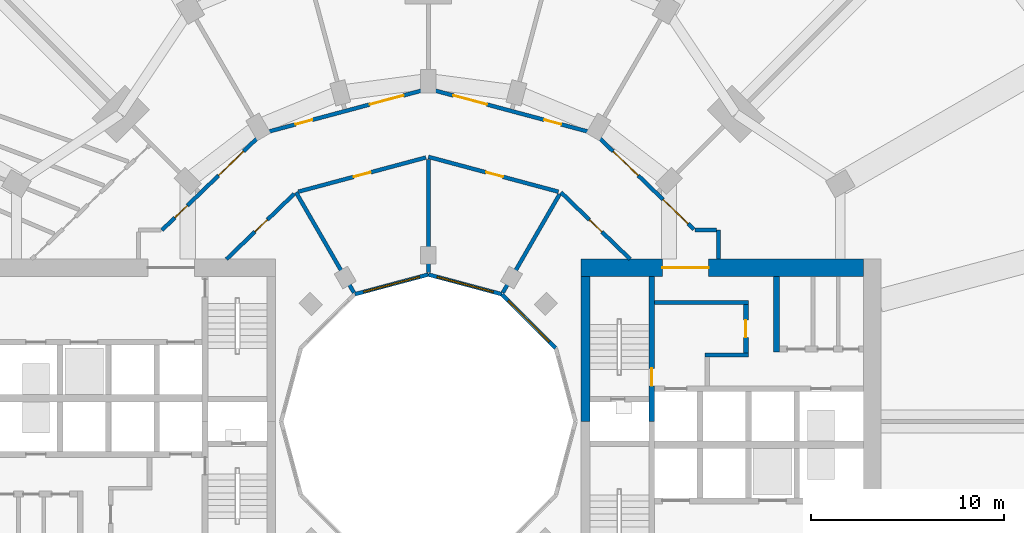
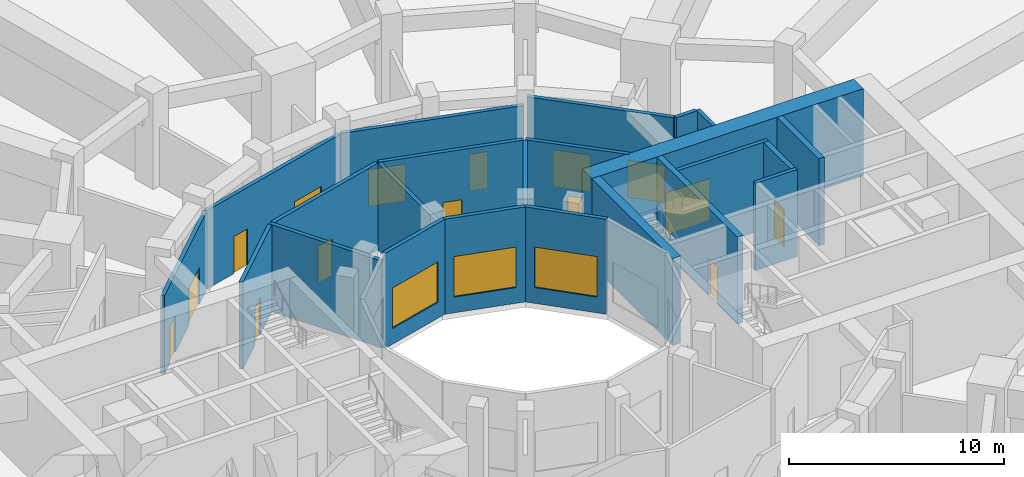
# One storey, part 25 of 30: 23 walls, 15 doors, 3 windows, 18 openings.
"""IFC4 building model written with IfcOpenShell, lengths in metres."""

from ifc_helpers import new_model, si_unit, direction, frame, frame_2d, origin, place, context, subcontext, project, spatial, rectangle, extrude, material, layer, layer_set, type_object, element, fill, save


model = new_model("IFC4")

# Units and contexts
model_context = context("Model", 3, precision=1e-05, world=origin(), true_north=direction((0.0, 1.0)))
body_context = subcontext(model_context, "Body", "Model", "MODEL_VIEW")
ifc_project = project(units=[si_unit("LENGTHUNIT", "METRE"), si_unit("AREAUNIT", "SQUARE_METRE"), si_unit("VOLUMEUNIT", "CUBIC_METRE"), si_unit("PLANEANGLEUNIT", "RADIAN"), si_unit("MASSUNIT", "GRAM", prefix="KILO")], contexts=[model_context])

# Site, building, storey
site_placement = place(None, origin())
site = spatial("IfcSite", under=ifc_project, at=site_placement, CompositionType="ELEMENT")
building_placement = place(site_placement, origin())
building = spatial("IfcBuilding", under=site, at=building_placement, Name="Torre Brocal", CompositionType="ELEMENT")
storey_placement = place(building_placement, frame((0.0, 0.0, 7.0)))
storey = spatial("IfcBuildingStorey", under=building, at=storey_placement, Name="L01", CompositionType="ELEMENT", Elevation=7.0)

# Walls
ifc_material_1 = material(Name="Concrete C80", Category="concrete")
ifc_layer_1 = layer(ifc_material_1, 0.199951171875)
ifc_layer_set_1 = layer_set([ifc_layer_1], Name="Concrete C80")
wall_type_1 = type_object("IfcWallType", Name="CORE WALL 200 C80 UNDER 450 SLAB", PredefinedType="SHEAR", material=ifc_layer_set_1)
wall_1_placement = place(storey_placement, frame((91.699951171875, 81.14990234375, 0.0), z_axis=(0.0, 0.0, 1.0), x_axis=(1.0, 0.0, 0.0)))
element("IfcWall", 1, at=wall_1_placement, inside=storey, type_object=wall_type_1, Name="Wall CW200-80-S450", PredefinedType="SHEAR", context=body_context, shape_type="SweptSolid", body=[
    extrude(rectangle(XDim=4.85009765625, YDim=0.199951171875, at=frame_2d((2.425048828125, 0.0))), origin(), (0.0, 0.0, 1.0), 4.949951171875),
])
wall_2_placement = place(storey_placement, frame((94.300048828125, 78.449951171875, 0.0), z_axis=(0.0, 0.0, 1.0), x_axis=(1.0, 0.0, 0.0)))
element("IfcWall", 2, at=wall_2_placement, inside=storey, type_object=wall_type_1, Name="Wall CW200-80-S450", PredefinedType="SHEAR", context=body_context, shape_type="SweptSolid", body=[
    extrude(rectangle(XDim=2.25, YDim=0.199951171875, at=frame_2d((1.125, 0.0))), origin(), (0.0, 0.0, 1.0), 4.949951171875),
])

# Wall, opening, door
ifc_material_2 = material(Name="Concrete C80", Category="concrete")
ifc_layer_2 = layer(ifc_material_2, 0.25)
ifc_layer_set_2 = layer_set([ifc_layer_2], Name="Concrete C80")
wall_type_2 = type_object("IfcWallType", Name="CORE WALL 250 C80 UNDER 450 SLAB", PredefinedType="SHEAR", material=ifc_layer_set_2)
wall_3_placement = place(storey_placement, frame((96.425048828125, 78.550048828125, 0.0), z_axis=(0.0, 0.0, 1.0), x_axis=(0.0, 1.0, 0.0)))
wall_3 = element("IfcWall", 3, at=wall_3_placement, inside=storey, type_object=wall_type_2, Name="Wall CW250-80-S450", PredefinedType="SHEAR", context=body_context, shape_type="SweptSolid", body=[
    extrude(rectangle(XDim=2.5, YDim=0.25, at=frame_2d((1.25, 0.0))), origin(), (0.0, 0.0, 1.0), 4.949951171875),
])
opening_1_placement = place(wall_3_placement, frame((0.800048828125, 0.0, 0.0)))
opening_1 = element("IfcOpeningElement", 4, at=opening_1_placement, cuts=wall_3, Name="Opening E-D15", PredefinedType="OPENING", context=body_context, shape_type="SweptSolid", body=[
    extrude(rectangle(XDim=0.89990234375, YDim=2.10009765625, at=frame_2d((0.449951171875, 1.050048828125))), frame((0.0, 0.135009765625, 0.0), z_axis=(0.0, -1.0, 0.0), x_axis=(1.0, 0.0, 0.0)), (0.0, 0.0, 1.0), 0.27001953125),
])
ifc_material_3 = material(Name="Steel A653", Category="steel")
door_type_1 = type_object("IfcDoorType", Name="LOBBY DOOR FD120 900X2100", OperationType="SINGLE_SWING_RIGHT", PredefinedType="DOOR", material=ifc_material_3)
door_1_placement = place(opening_1_placement, origin())
door_1 = element("IfcDoor", 5, at=door_1_placement, inside=storey, type_object=door_type_1, Name="Door E-D15", OperationType="SINGLE_SWING_LEFT", OverallHeight=2.10009765625, OverallWidth=0.89990234375, PredefinedType="DOOR", context=body_context, shape_type="SweptSolid", body=[
    extrude(rectangle(XDim=0.89990234375, YDim=2.10009765625, at=frame_2d((0.449951171875, 1.050048828125))), frame((0.0, 0.02490234375, 0.0), z_axis=(0.0, -1.0, 0.0), x_axis=(1.0, 0.0, 0.0)), (0.0, 0.0, 1.0), 0.050048828125),
])
fill(opening_1, door_1)

ifc_material_4 = material(Name="Concrete C80", Category="concrete")
ifc_layer_3 = layer(ifc_material_4, 0.300048828125)
ifc_layer_set_3 = layer_set([ifc_layer_3], Name="Concrete C80")
wall_type_3 = type_object("IfcWallType", Name="CORE WALL 300 C80 UNDER 450 SLAB", PredefinedType="SHEAR", material=ifc_layer_set_3)
wall_4_placement = place(storey_placement, frame((91.550048828125, 75.0, 0.0), z_axis=(0.0, 0.0, 1.0), x_axis=(0.0, 1.0, 0.0)))
wall_4 = element("IfcWall", 6, at=wall_4_placement, inside=storey, type_object=wall_type_3, Name="Wall CW300-80-S450", PredefinedType="SHEAR", context=body_context, shape_type="SweptSolid", body=[
    extrude(rectangle(XDim=7.5, YDim=0.300048828125, at=frame_2d((3.75, 0.0))), origin(), (0.0, 0.0, 1.0), 4.949951171875),
])
opening_2_placement = place(wall_4_placement, frame((1.85009765625, 0.0, 0.0)))
opening_2 = element("IfcOpeningElement", 7, at=opening_2_placement, cuts=wall_4, Name="Opening E-D02", PredefinedType="OPENING", context=body_context, shape_type="SweptSolid", body=[
    extrude(rectangle(XDim=0.89990234375, YDim=2.10009765625, at=frame_2d((0.449951171875, 1.050048828125))), frame((0.0, 0.159912109375, 0.0), z_axis=(0.0, -1.0, 0.0), x_axis=(1.0, 0.0, 0.0)), (0.0, 0.0, 1.0), 0.320068359375),
])
ifc_material_5 = material(Name="Steel A653", Category="steel")
door_type_2 = type_object("IfcDoorType", Name="STAIR DOOR FD120 900X2100", OperationType="SINGLE_SWING_RIGHT", PredefinedType="DOOR", material=ifc_material_5)
door_2_placement = place(opening_2_placement, origin())
door_2 = element("IfcDoor", 8, at=door_2_placement, inside=storey, type_object=door_type_2, Name="Door E-D02", OperationType="SINGLE_SWING_LEFT", OverallHeight=2.10009765625, OverallWidth=0.89990234375, PredefinedType="DOOR", context=body_context, shape_type="SweptSolid", body=[
    extrude(rectangle(XDim=0.89990234375, YDim=2.10009765625, at=frame_2d((0.449951171875, 1.050048828125))), frame((0.0, 0.02490234375, 0.0), z_axis=(0.0, -1.0, 0.0), x_axis=(1.0, 0.0, 0.0)), (0.0, 0.0, 1.0), 0.050048828125),
])
fill(opening_2, door_2)

# Walls
wall_5_placement = place(storey_placement, frame((98.0, 78.60009765625, 0.0), z_axis=(0.0, 0.0, 1.0), x_axis=(0.0, 1.0, 0.0)))
element("IfcWall", 9, at=wall_5_placement, inside=storey, type_object=wall_type_3, Name="Wall CW300-80-S450", PredefinedType="SHEAR", context=body_context, shape_type="SweptSolid", body=[
    extrude(rectangle(XDim=3.89990234375, YDim=0.300048828125, at=frame_2d((1.949951171875, 0.0))), origin(), (0.0, 0.0, 1.0), 4.949951171875),
])
ifc_material_6 = material(Name="Concrete C80", Category="concrete")
ifc_layer_4 = layer(ifc_material_6, 0.449951171875)
ifc_layer_set_4 = layer_set([ifc_layer_4], Name="Concrete C80")
wall_type_4 = type_object("IfcWallType", Name="CORE WALL 450 C80 UNDER 450 SLAB", PredefinedType="SHEAR", material=ifc_layer_set_4)
wall_6_placement = place(storey_placement, frame((88.125, 75.0, 0.0), z_axis=(0.0, 0.0, 1.0), x_axis=(0.0, 1.0, 0.0)))
element("IfcWall", 10, at=wall_6_placement, inside=storey, type_object=wall_type_4, Name="Wall CW450-80-S450", PredefinedType="SHEAR", context=body_context, shape_type="SweptSolid", body=[
    extrude(rectangle(XDim=7.5, YDim=0.449951171875, at=frame_2d((3.75, 0.0))), origin(), (0.0, 0.0, 1.0), 4.949951171875),
])

# Wall, opening, door
ifc_material_7 = material(Name="Concrete C80", Category="concrete")
ifc_layer_5 = layer(ifc_material_7, 0.89990234375)
ifc_layer_set_5 = layer_set([ifc_layer_5], Name="Concrete C80")
wall_type_5 = type_object("IfcWallType", Name="CORE WALL 900 C80 UNDER 450 SLAB", PredefinedType="SHEAR", material=ifc_layer_set_5)
wall_7_placement = place(storey_placement, frame((87.89990234375, 82.949951171875, 0.0), z_axis=(0.0, 0.0, 1.0), x_axis=(1.0, 0.0, 0.0)))
wall_7 = element("IfcWall", 11, at=wall_7_placement, inside=storey, type_object=wall_type_5, Name="Wall CW900-80-S450", PredefinedType="SHEAR", context=body_context, shape_type="SweptSolid", body=[
    extrude(rectangle(XDim=14.60009765625, YDim=0.89990234375, at=frame_2d((7.300048828125, 0.0))), origin(), (0.0, 0.0, 1.0), 4.949951171875),
])
opening_3_placement = place(wall_7_placement, frame((4.199951171875, 0.0, 0.0)))
opening_3 = element("IfcOpeningElement", 12, at=opening_3_placement, cuts=wall_7, Name="Opening E-D27", PredefinedType="OPENING", context=body_context, shape_type="SweptSolid", body=[
    extrude(rectangle(XDim=2.39990234375, YDim=2.39990234375, at=frame_2d((1.199951171875, 1.199951171875))), frame((0.0, 0.4599609375, 0.0), z_axis=(0.0, -1.0, 0.0), x_axis=(1.0, 0.0, 0.0)), (0.0, 0.0, 1.0), 0.919921875),
])
ifc_material_8 = material(Name="Steel A653", Category="steel")
door_type_3 = type_object("IfcDoorType", Name="DOUBLE FIRE DOOR FD90 2400X2400", OperationType="DOUBLE_DOOR_SINGLE_SWING", PredefinedType="DOOR", material=ifc_material_8)
door_3_placement = place(opening_3_placement, frame((2.39990234375, 0.0, 0.0), z_axis=(0.0, 0.0, 1.0), x_axis=(-1.0, 0.0, 0.0)))
door_3 = element("IfcDoor", 13, at=door_3_placement, inside=storey, type_object=door_type_3, Name="Door E-D27", OperationType="DOUBLE_DOOR_SINGLE_SWING", OverallHeight=2.39990234375, OverallWidth=2.39990234375, PredefinedType="DOOR", context=body_context, shape_type="SweptSolid", body=[
    extrude(rectangle(XDim=2.39990234375, YDim=2.39990234375, at=frame_2d((1.199951171875, 1.199951171875))), frame((0.0, 0.02490234375, 0.0), z_axis=(0.0, -1.0, 0.0), x_axis=(1.0, 0.0, 0.0)), (0.0, 0.0, 1.0), 0.050048828125),
])
fill(opening_3, door_3)

ifc_material_9 = material(Name="Gypsum board", Category="Gypsum")
ifc_layer_6 = layer(ifc_material_9, 0.199951171875)
ifc_layer_set_6 = layer_set([ifc_layer_6], Name="Gypsum board")
wall_type_6 = type_object("IfcWallType", Name="PARTITION 200 EI60", PredefinedType="PARTITIONING", material=ifc_layer_set_6)
wall_8_placement = place(storey_placement, frame((69.56298828125, 83.39990234375, 0.0), z_axis=(0.0, 0.0, 1.0), x_axis=(0.719454254864, 0.694539829785, 0.0)))
wall_8 = element("IfcWall", 14, at=wall_8_placement, inside=storey, type_object=wall_type_6, Name="CORRIDOR WALL", PredefinedType="PARTITIONING", context=body_context, shape_type="SweptSolid", body=[
    extrude(rectangle(XDim=4.8603515625, YDim=0.199951171875, at=frame_2d((2.43017578125, 0.0))), origin(), (0.0, 0.0, 1.0), 4.949951171875),
])
opening_4_placement = place(wall_8_placement, frame((2.03515625, 0.0, 0.0)))
opening_4 = element("IfcOpeningElement", 15, at=opening_4_placement, cuts=wall_8, Name="Opening PD1-D17", PredefinedType="OPENING", context=body_context, shape_type="SweptSolid", body=[
    extrude(rectangle(XDim=0.89990234375, YDim=2.10009765625, at=frame_2d((0.449951171875, 1.050048828125))), frame((0.0, 0.10986328125, 0.0), z_axis=(0.0, -1.0, 0.0), x_axis=(1.0, 0.0, 0.0)), (0.0, 0.0, 1.0), 0.219970703125),
])
ifc_material_10 = material(Name="Timber", Category="wood")
door_type_4 = type_object("IfcDoorType", Name="ROOM DOOR 900X2100", OperationType="SINGLE_SWING_LEFT", PredefinedType="DOOR", material=ifc_material_10)
door_4_placement = place(opening_4_placement, frame((0.89990234375, 0.0, 0.0), z_axis=(0.0, 0.0, 1.0), x_axis=(-1.0, 0.0, 0.0)))
door_4 = element("IfcDoor", 16, at=door_4_placement, inside=storey, type_object=door_type_4, Name="PD1-D17", OperationType="SINGLE_SWING_RIGHT", OverallHeight=2.10009765625, OverallWidth=0.89990234375, PredefinedType="DOOR", context=body_context, shape_type="SweptSolid", body=[
    extrude(rectangle(XDim=0.89990234375, YDim=2.10009765625, at=frame_2d((0.449951171875, 1.050048828125))), frame((0.0, 0.02490234375, 0.0), z_axis=(0.0, -1.0, 0.0), x_axis=(1.0, 0.0, 0.0)), (0.0, 0.0, 1.0), 0.050048828125),
])
fill(opening_4, door_4)

wall_9_placement = place(storey_placement, frame((73.2744140625, 86.88818359375, 0.0), z_axis=(0.0, 0.0, 1.0), x_axis=(0.965941353683, 0.258761089124, 0.0)))
wall_9 = element("IfcWall", 17, at=wall_9_placement, inside=storey, type_object=wall_type_6, Name="CORRIDOR WALL", PredefinedType="PARTITIONING", context=body_context, shape_type="SweptSolid", body=[
    extrude(rectangle(XDim=6.832763671875, YDim=0.199951171875, at=frame_2d((3.41650390625, 0.0))), origin(), (0.0, 0.0, 1.0), 4.949951171875),
])
opening_5_placement = place(wall_9_placement, frame((2.96142578125, 0.0, 0.0)))
opening_5 = element("IfcOpeningElement", 18, at=opening_5_placement, cuts=wall_9, Name="Opening PD1-D16", PredefinedType="OPENING", context=body_context, shape_type="SweptSolid", body=[
    extrude(rectangle(XDim=0.89990234375, YDim=2.10009765625, at=frame_2d((0.449951171875, 1.050048828125))), frame((0.0, 0.10986328125, 0.0), z_axis=(0.0, -1.0, 0.0), x_axis=(1.0, 0.0, 0.0)), (0.0, 0.0, 1.0), 0.219970703125),
])
door_5_placement = place(opening_5_placement, frame((0.89990234375, 0.0, 0.0), z_axis=(0.0, 0.0, 1.0), x_axis=(-1.0, 0.0, 0.0)))
door_5 = element("IfcDoor", 19, at=door_5_placement, inside=storey, type_object=door_type_4, Name="PD1-D16", OperationType="SINGLE_SWING_RIGHT", OverallHeight=2.10009765625, OverallWidth=0.89990234375, PredefinedType="DOOR", context=body_context, shape_type="SweptSolid", body=[
    extrude(rectangle(XDim=0.89990234375, YDim=2.10009765625, at=frame_2d((0.449951171875, 1.050048828125))), frame((0.0, 0.02490234375, 0.0), z_axis=(0.0, -1.0, 0.0), x_axis=(1.0, 0.0, 0.0)), (0.0, 0.0, 1.0), 0.050048828125),
])
fill(opening_5, door_5)

# Walls
wall_10_placement = place(storey_placement, frame((73.155029296875, 86.85595703125, 0.0), z_axis=(0.0, 0.0, 1.0), x_axis=(0.499999919892, -0.866025450035, 0.0)))
element("IfcWall", 20, at=wall_10_placement, inside=storey, type_object=wall_type_6, Name="SERVICE ROOM WALL", PredefinedType="PARTITIONING", context=body_context, shape_type="SweptSolid", body=[
    extrude(rectangle(XDim=5.99169921875, YDim=0.199951171875, at=frame_2d((2.995849609375, 0.0))), origin(), (0.0, 0.0, 1.0), 4.949951171875),
])
wall_11_placement = place(storey_placement, frame((80.0, 82.698974609375, 0.0), z_axis=(0.0, 0.0, 1.0), x_axis=(0.0, 1.0, 0.0)))
element("IfcWall", 21, at=wall_11_placement, inside=storey, type_object=wall_type_6, Name="SERVICE ROOM WALL", PredefinedType="PARTITIONING", context=body_context, shape_type="SweptSolid", body=[
    extrude(rectangle(XDim=5.861083984375, YDim=0.199951171875, at=frame_2d((2.9306640625, 0.0))), origin(), (0.0, 0.0, 1.0), 4.949951171875),
])

# Wall, opening, door
wall_12_placement = place(storey_placement, frame((80.0, 88.68994140625, 0.0), z_axis=(0.0, 0.0, 1.0), x_axis=(0.965929896633, -0.258803853893, 0.0)))
wall_12 = element("IfcWall", 22, at=wall_12_placement, inside=storey, type_object=wall_type_6, Name="CORRIDOR WALL", PredefinedType="PARTITIONING", context=body_context, shape_type="SweptSolid", body=[
    extrude(rectangle(XDim=6.962890625, YDim=0.199951171875, at=frame_2d((3.4814453125, 0.0))), origin(), (0.0, 0.0, 1.0), 4.949951171875),
])
opening_6_placement = place(wall_12_placement, frame((3.1015625, 0.0, 0.0)))
opening_6 = element("IfcOpeningElement", 23, at=opening_6_placement, cuts=wall_12, Name="Opening PD1-D15", PredefinedType="OPENING", context=body_context, shape_type="SweptSolid", body=[
    extrude(rectangle(XDim=0.89990234375, YDim=2.10009765625, at=frame_2d((0.449951171875, 1.050048828125))), frame((0.0, 0.10986328125, 0.0), z_axis=(0.0, -1.0, 0.0), x_axis=(1.0, 0.0, 0.0)), (0.0, 0.0, 1.0), 0.219970703125),
])
door_6_placement = place(opening_6_placement, frame((0.89990234375, 0.0, 0.0), z_axis=(0.0, 0.0, 1.0), x_axis=(-1.0, 0.0, 0.0)))
door_6 = element("IfcDoor", 24, at=door_6_placement, inside=storey, type_object=door_type_4, Name="PD1-D15", OperationType="SINGLE_SWING_LEFT", OverallHeight=2.10009765625, OverallWidth=0.89990234375, PredefinedType="DOOR", context=body_context, shape_type="SweptSolid", body=[
    extrude(rectangle(XDim=0.89990234375, YDim=2.10009765625, at=frame_2d((0.449951171875, 1.050048828125))), frame((0.0, 0.02490234375, 0.0), z_axis=(0.0, -1.0, 0.0), x_axis=(1.0, 0.0, 0.0)), (0.0, 0.0, 1.0), 0.050048828125),
])
fill(opening_6, door_6)

# Wall
wall_13_placement = place(storey_placement, frame((83.849853515625, 81.66650390625, 0.0), z_axis=(0.0, 0.0, 1.0), x_axis=(0.500029580911, 0.866008324564, 0.0)))
element("IfcWall", 25, at=wall_13_placement, inside=storey, type_object=wall_type_6, Name="SERVICE ROOM WALL", PredefinedType="PARTITIONING", context=body_context, shape_type="SweptSolid", body=[
    extrude(rectangle(XDim=5.871826171875, YDim=0.199951171875, at=frame_2d((2.93603515625, 0.0))), origin(), (0.0, 0.0, 1.0), 4.949951171875),
])

# Wall, opening, door
wall_14_placement = place(storey_placement, frame((86.861083984375, 86.85205078125, 0.0), z_axis=(0.0, 0.0, 1.0), x_axis=(0.719448855188, -0.694545423114, 0.0)))
wall_14 = element("IfcWall", 26, at=wall_14_placement, inside=storey, type_object=wall_type_6, Name="CORRIDOR WALL", PredefinedType="PARTITIONING", context=body_context, shape_type="SweptSolid", body=[
    extrude(rectangle(XDim=4.970458984375, YDim=0.199951171875, at=frame_2d((2.4853515625, 0.0))), origin(), (0.0, 0.0, 1.0), 4.949951171875),
])
opening_7_placement = place(wall_14_placement, frame((2.03515625, 0.0, 0.0)))
opening_7 = element("IfcOpeningElement", 27, at=opening_7_placement, cuts=wall_14, Name="Opening PD1-D14", PredefinedType="OPENING", context=body_context, shape_type="SweptSolid", body=[
    extrude(rectangle(XDim=0.89990234375, YDim=2.10009765625, at=frame_2d((0.449951171875, 1.050048828125))), frame((0.0, 0.10986328125, 0.0), z_axis=(0.0, -1.0, 0.0), x_axis=(1.0, 0.0, 0.0)), (0.0, 0.0, 1.0), 0.219970703125),
])
door_7_placement = place(opening_7_placement, frame((0.89990234375, 0.0, 0.0), z_axis=(0.0, 0.0, 1.0), x_axis=(-1.0, 0.0, 0.0)))
door_7 = element("IfcDoor", 28, at=door_7_placement, inside=storey, type_object=door_type_4, Name="PD1-D14", OperationType="SINGLE_SWING_LEFT", OverallHeight=2.10009765625, OverallWidth=0.89990234375, PredefinedType="DOOR", context=body_context, shape_type="SweptSolid", body=[
    extrude(rectangle(XDim=0.89990234375, YDim=2.10009765625, at=frame_2d((0.449951171875, 1.050048828125))), frame((0.0, 0.02490234375, 0.0), z_axis=(0.0, -1.0, 0.0), x_axis=(1.0, 0.0, 0.0)), (0.0, 0.0, 1.0), 0.050048828125),
])
fill(opening_7, door_7)

# Wall, openings, doors
wall_15_placement = place(storey_placement, frame((88.66845703125, 89.83203125, 0.0), z_axis=(0.0, 0.0, 1.0), x_axis=(0.71956091863, -0.694429322811, 0.0)))
wall_15 = element("IfcWall", 29, at=wall_15_placement, inside=storey, type_object=wall_type_6, Name="CORRIDOR WALL", PredefinedType="PARTITIONING", context=body_context, shape_type="SweptSolid", body=[
    extrude(rectangle(XDim=7.04296875, YDim=0.199951171875, at=frame_2d((3.521484375, 0.0))), origin(), (0.0, 0.0, 1.0), 4.949951171875),
])
opening_8_placement = place(wall_15_placement, frame((4.821044921875, 0.0, 0.0)))
opening_8 = element("IfcOpeningElement", 30, at=opening_8_placement, cuts=wall_15, Name="Opening PD1-D01", PredefinedType="OPENING", context=body_context, shape_type="SweptSolid", body=[
    extrude(rectangle(XDim=1.800048828125, YDim=2.10009765625, at=frame_2d((0.89990234375, 1.050048828125))), frame((0.0, 0.10986328125, 0.0), z_axis=(0.0, -1.0, 0.0), x_axis=(1.0, 0.0, 0.0)), (0.0, 0.0, 1.0), 0.219970703125),
])
opening_9_placement = place(wall_15_placement, frame((1.234375, 0.0, 0.0)))
opening_9 = element("IfcOpeningElement", 31, at=opening_9_placement, cuts=wall_15, Name="Opening PD1-D02", PredefinedType="OPENING", context=body_context, shape_type="SweptSolid", body=[
    extrude(rectangle(XDim=1.800048828125, YDim=2.10009765625, at=frame_2d((0.89990234375, 1.050048828125))), frame((0.0, 0.10986328125, 0.0), z_axis=(0.0, -1.0, 0.0), x_axis=(1.0, 0.0, 0.0)), (0.0, 0.0, 1.0), 0.219970703125),
])
ifc_material_11 = material(Name="Timber", Category="wood")
door_type_5 = type_object("IfcDoorType", Name="DOUBLE DOOR 1800X2100", OperationType="DOUBLE_DOOR_SINGLE_SWING", PredefinedType="DOOR", material=ifc_material_11)
door_8_placement = place(opening_8_placement, origin())
door_8 = element("IfcDoor", 32, at=door_8_placement, inside=storey, type_object=door_type_5, Name="PD1-D01", OperationType="DOUBLE_DOOR_SINGLE_SWING", OverallHeight=2.10009765625, OverallWidth=1.800048828125, PredefinedType="DOOR", context=body_context, shape_type="SweptSolid", body=[
    extrude(rectangle(XDim=1.800048828125, YDim=2.10009765625, at=frame_2d((0.89990234375, 1.050048828125))), frame((0.0, 0.02490234375, 0.0), z_axis=(0.0, -1.0, 0.0), x_axis=(1.0, 0.0, 0.0)), (0.0, 0.0, 1.0), 0.050048828125),
])
fill(opening_8, door_8)
door_9_placement = place(opening_9_placement, origin())
door_9 = element("IfcDoor", 33, at=door_9_placement, inside=storey, type_object=door_type_5, Name="PD1-D02", OperationType="DOUBLE_DOOR_SINGLE_SWING", OverallHeight=2.10009765625, OverallWidth=1.800048828125, PredefinedType="DOOR", context=body_context, shape_type="SweptSolid", body=[
    extrude(rectangle(XDim=1.800048828125, YDim=2.10009765625, at=frame_2d((0.89990234375, 1.050048828125))), frame((0.0, 0.02490234375, 0.0), z_axis=(0.0, -1.0, 0.0), x_axis=(1.0, 0.0, 0.0)), (0.0, 0.0, 1.0), 0.050048828125),
])
fill(opening_9, door_9)

# Walls
wall_16_placement = place(storey_placement, frame((93.780029296875, 84.89990234375, 0.0), z_axis=(0.0, 0.0, 1.0), x_axis=(1.0, 0.0, 0.0)))
element("IfcWall", 34, at=wall_16_placement, inside=storey, type_object=wall_type_6, Name="CORRIDOR WALL", PredefinedType="PARTITIONING", context=body_context, shape_type="SweptSolid", body=[
    extrude(rectangle(XDim=1.119873046875, YDim=0.199951171875, at=frame_2d((0.56005859375, 0.0))), origin(), (0.0, 0.0, 1.0), 4.949951171875),
])
wall_17_placement = place(storey_placement, frame((95.0, 83.40087890625, 0.0), z_axis=(0.0, 0.0, 1.0), x_axis=(0.0, 1.0, 0.0)))
element("IfcWall", 35, at=wall_17_placement, inside=storey, type_object=wall_type_6, Name="CORRIDOR WALL", PredefinedType="PARTITIONING", context=body_context, shape_type="SweptSolid", body=[
    extrude(rectangle(XDim=1.4990234375, YDim=0.199951171875, at=frame_2d((0.74951171875, 0.0))), origin(), (0.0, 0.0, 1.0), 4.949951171875),
])

# Wall, openings, doors
ifc_material_12 = material(Name="Gypsum board", Category="Gypsum")
ifc_layer_7 = layer(ifc_material_12, 0.199951171875)
ifc_layer_set_7 = layer_set([ifc_layer_7], Name="Gypsum board")
wall_type_7 = type_object("IfcWallType", Name="PARTITION 200 EI60 UNDER BEAM 950", PredefinedType="PARTITIONING", material=ifc_layer_set_7)
wall_18_placement = place(storey_placement, frame((66.22021484375, 84.899658203125, 0.0), z_axis=(0.0, 0.0, 1.0), x_axis=(0.719621348931, 0.694366700068, 0.0)))
wall_18 = element("IfcWall", 36, at=wall_18_placement, inside=storey, type_object=wall_type_7, Name="CORRIDOR WALL", PredefinedType="PARTITIONING", context=body_context, shape_type="SweptSolid", body=[
    extrude(rectangle(XDim=7.173095703125, YDim=0.199951171875, at=frame_2d((3.58642578125, 0.0))), origin(), (0.0, 0.0, 1.0), 4.449951171875),
])
opening_10_placement = place(wall_18_placement, frame((4.068603515625, 0.0, 0.0)))
opening_10 = element("IfcOpeningElement", 37, at=opening_10_placement, cuts=wall_18, Name="Opening PD1-D07", PredefinedType="OPENING", context=body_context, shape_type="SweptSolid", body=[
    extrude(rectangle(XDim=1.800048828125, YDim=2.10009765625, at=frame_2d((0.89990234375, 1.050048828125))), frame((0.0, 0.10986328125, 0.0), z_axis=(0.0, -1.0, 0.0), x_axis=(1.0, 0.0, 0.0)), (0.0, 0.0, 1.0), 0.219970703125),
])
opening_11_placement = place(wall_18_placement, frame((0.931884765625, 0.0, 0.0)))
opening_11 = element("IfcOpeningElement", 38, at=opening_11_placement, cuts=wall_18, Name="Opening PD1-D13", PredefinedType="OPENING", context=body_context, shape_type="SweptSolid", body=[
    extrude(rectangle(XDim=0.89990234375, YDim=2.10009765625, at=frame_2d((0.449951171875, 1.050048828125))), frame((0.0, 0.10986328125, 0.0), z_axis=(0.0, -1.0, 0.0), x_axis=(1.0, 0.0, 0.0)), (0.0, 0.0, 1.0), 0.219970703125),
])
door_10_placement = place(opening_10_placement, origin())
door_10 = element("IfcDoor", 39, at=door_10_placement, inside=storey, type_object=door_type_5, Name="PD1-D07", OperationType="DOUBLE_DOOR_SINGLE_SWING", OverallHeight=2.10009765625, OverallWidth=1.800048828125, PredefinedType="DOOR", context=body_context, shape_type="SweptSolid", body=[
    extrude(rectangle(XDim=1.800048828125, YDim=2.10009765625, at=frame_2d((0.89990234375, 1.050048828125))), frame((0.0, 0.02490234375, 0.0), z_axis=(0.0, -1.0, 0.0), x_axis=(1.0, 0.0, 0.0)), (0.0, 0.0, 1.0), 0.050048828125),
])
fill(opening_10, door_10)
door_11_placement = place(opening_11_placement, origin())
door_11 = element("IfcDoor", 40, at=door_11_placement, inside=storey, type_object=door_type_4, Name="PD1-D13", OperationType="SINGLE_SWING_RIGHT", OverallHeight=2.10009765625, OverallWidth=0.89990234375, PredefinedType="DOOR", context=body_context, shape_type="SweptSolid", body=[
    extrude(rectangle(XDim=0.89990234375, YDim=2.10009765625, at=frame_2d((0.449951171875, 1.050048828125))), frame((0.0, 0.02490234375, 0.0), z_axis=(0.0, -1.0, 0.0), x_axis=(1.0, 0.0, 0.0)), (0.0, 0.0, 1.0), 0.050048828125),
])
fill(opening_11, door_11)

wall_19_placement = place(storey_placement, frame((71.410888671875, 89.907958984375, 0.0), z_axis=(0.0, 0.0, 1.0), x_axis=(0.965907314361, 0.258888122678, 0.0)))
wall_19 = element("IfcWall", 41, at=wall_19_placement, inside=storey, type_object=wall_type_7, Name="CORRIDOR WALL", PredefinedType="PARTITIONING", context=body_context, shape_type="SweptSolid", body=[
    extrude(rectangle(XDim=8.80224609375, YDim=0.199951171875, at=frame_2d((4.401123046875, 0.0))), origin(), (0.0, 0.0, 1.0), 4.449951171875),
])
opening_12_placement = place(wall_19_placement, frame((5.75537109375, 0.0, 0.0)))
opening_12 = element("IfcOpeningElement", 42, at=opening_12_placement, cuts=wall_19, Name="Opening PD1-D05", PredefinedType="OPENING", context=body_context, shape_type="SweptSolid", body=[
    extrude(rectangle(XDim=1.800048828125, YDim=2.10009765625, at=frame_2d((0.89990234375, 1.050048828125))), frame((0.0, 0.10986328125, 0.0), z_axis=(0.0, -1.0, 0.0), x_axis=(1.0, 0.0, 0.0)), (0.0, 0.0, 1.0), 0.219970703125),
])
opening_13_placement = place(wall_19_placement, frame((1.779052734375, 0.0, 0.0)))
opening_13 = element("IfcOpeningElement", 43, at=opening_13_placement, cuts=wall_19, Name="Opening PD1-D06", PredefinedType="OPENING", context=body_context, shape_type="SweptSolid", body=[
    extrude(rectangle(XDim=0.89990234375, YDim=2.10009765625, at=frame_2d((0.449951171875, 1.050048828125))), frame((0.0, 0.10986328125, 0.0), z_axis=(0.0, -1.0, 0.0), x_axis=(1.0, 0.0, 0.0)), (0.0, 0.0, 1.0), 0.219970703125),
])
door_12_placement = place(opening_12_placement, origin())
door_12 = element("IfcDoor", 44, at=door_12_placement, inside=storey, type_object=door_type_5, Name="PD1-D05", OperationType="DOUBLE_DOOR_SINGLE_SWING", OverallHeight=2.10009765625, OverallWidth=1.800048828125, PredefinedType="DOOR", context=body_context, shape_type="SweptSolid", body=[
    extrude(rectangle(XDim=1.800048828125, YDim=2.10009765625, at=frame_2d((0.89990234375, 1.050048828125))), frame((0.0, 0.02490234375, 0.0), z_axis=(0.0, -1.0, 0.0), x_axis=(1.0, 0.0, 0.0)), (0.0, 0.0, 1.0), 0.050048828125),
])
fill(opening_12, door_12)
door_13_placement = place(opening_13_placement, origin())
door_13 = element("IfcDoor", 45, at=door_13_placement, inside=storey, type_object=door_type_4, Name="PD1-D06", OperationType="SINGLE_SWING_RIGHT", OverallHeight=2.10009765625, OverallWidth=0.89990234375, PredefinedType="DOOR", context=body_context, shape_type="SweptSolid", body=[
    extrude(rectangle(XDim=0.89990234375, YDim=2.10009765625, at=frame_2d((0.449951171875, 1.050048828125))), frame((0.0, 0.02490234375, 0.0), z_axis=(0.0, -1.0, 0.0), x_axis=(1.0, 0.0, 0.0)), (0.0, 0.0, 1.0), 0.050048828125),
])
fill(opening_13, door_13)

wall_20_placement = place(storey_placement, frame((80.0, 92.2099609375, 0.0), z_axis=(0.0, 0.0, 1.0), x_axis=(0.965910452724, -0.258876413213, 0.0)))
wall_20 = element("IfcWall", 46, at=wall_20_placement, inside=storey, type_object=wall_type_7, Name="CORRIDOR WALL", PredefinedType="PARTITIONING", context=body_context, shape_type="SweptSolid", body=[
    extrude(rectangle(XDim=8.81201171875, YDim=0.199951171875, at=frame_2d((4.406005859375, 0.0))), origin(), (0.0, 0.0, 1.0), 4.449951171875),
])
opening_14_placement = place(wall_20_placement, frame((6.213134765625, 0.0, 0.0)))
opening_14 = element("IfcOpeningElement", 47, at=opening_14_placement, cuts=wall_20, Name="Opening PD1-D03", PredefinedType="OPENING", context=body_context, shape_type="SweptSolid", body=[
    extrude(rectangle(XDim=0.89990234375, YDim=2.10009765625, at=frame_2d((0.449951171875, 1.050048828125))), frame((0.0, 0.10986328125, 0.0), z_axis=(0.0, -1.0, 0.0), x_axis=(1.0, 0.0, 0.0)), (0.0, 0.0, 1.0), 0.219970703125),
])
opening_15_placement = place(wall_20_placement, frame((1.336669921875, 0.0, 0.0)))
opening_15 = element("IfcOpeningElement", 48, at=opening_15_placement, cuts=wall_20, Name="Opening PD1-D04", PredefinedType="OPENING", context=body_context, shape_type="SweptSolid", body=[
    extrude(rectangle(XDim=1.800048828125, YDim=2.10009765625, at=frame_2d((0.89990234375, 1.050048828125))), frame((0.0, 0.10986328125, 0.0), z_axis=(0.0, -1.0, 0.0), x_axis=(1.0, 0.0, 0.0)), (0.0, 0.0, 1.0), 0.219970703125),
])
door_14_placement = place(opening_15_placement, origin())
door_14 = element("IfcDoor", 49, at=door_14_placement, inside=storey, type_object=door_type_5, Name="PD1-D04", OperationType="DOUBLE_DOOR_SINGLE_SWING", OverallHeight=2.10009765625, OverallWidth=1.800048828125, PredefinedType="DOOR", context=body_context, shape_type="SweptSolid", body=[
    extrude(rectangle(XDim=1.800048828125, YDim=2.10009765625, at=frame_2d((0.89990234375, 1.050048828125))), frame((0.0, 0.02490234375, 0.0), z_axis=(0.0, -1.0, 0.0), x_axis=(1.0, 0.0, 0.0)), (0.0, 0.0, 1.0), 0.050048828125),
])
fill(opening_15, door_14)
door_15_placement = place(opening_14_placement, origin())
door_15 = element("IfcDoor", 50, at=door_15_placement, inside=storey, type_object=door_type_4, Name="PD1-D03", OperationType="SINGLE_SWING_LEFT", OverallHeight=2.10009765625, OverallWidth=0.89990234375, PredefinedType="DOOR", context=body_context, shape_type="SweptSolid", body=[
    extrude(rectangle(XDim=0.89990234375, YDim=2.10009765625, at=frame_2d((0.449951171875, 1.050048828125))), frame((0.0, 0.02490234375, 0.0), z_axis=(0.0, -1.0, 0.0), x_axis=(1.0, 0.0, 0.0)), (0.0, 0.0, 1.0), 0.050048828125),
])
fill(opening_14, door_15)

# Wall, opening, window
ifc_material_13 = material(Name="Concrete C40", Category="concrete")
ifc_layer_8 = layer(ifc_material_13, 0.199951171875)
ifc_layer_set_8 = layer_set([ifc_layer_8], Name="Concrete C40")
wall_type_8 = type_object("IfcWallType", Name="WELL FACADE WALL 200", PredefinedType="NOTDEFINED", material=ifc_layer_set_8)
wall_21_placement = place(storey_placement, frame((86.5849609375, 78.8017578125, 0.0), z_axis=(0.0, 0.0, 1.0), x_axis=(-0.707106781187, 0.707106781187, 0.0)))
wall_21 = element("IfcWall", 51, at=wall_21_placement, inside=storey, type_object=wall_type_8, Name="WELL FACADE WALL", PredefinedType="NOTDEFINED", context=body_context, shape_type="SweptSolid", body=[
    extrude(rectangle(XDim=3.93603515625, YDim=0.199951171875, at=frame_2d((1.968017578125, 0.0))), origin(), (0.0, 0.0, 1.0), 5.39990234375),
])
opening_16_placement = place(wall_21_placement, frame((0.468017578125, 0.0, 0.89990234375)))
opening_16 = element("IfcOpeningElement", 52, at=opening_16_placement, cuts=wall_21, Name="Opening W1", PredefinedType="OPENING", context=body_context, shape_type="SweptSolid", body=[
    extrude(rectangle(XDim=3.0, YDim=2.300048828125, at=frame_2d((1.5, 1.14990234375))), frame((0.0, 0.10986328125, 0.0), z_axis=(0.0, -1.0, 0.0), x_axis=(1.0, 0.0, 0.0)), (0.0, 0.0, 1.0), 0.219970703125),
])
ifc_material_14 = material(Name="Aluminium and glass", Category="aluminium")
window_type = type_object("IfcWindowType", Name="WELL WINDOW 3000X2300", PartitioningType="SINGLE_PANEL", PredefinedType="WINDOW", material=ifc_material_14)
window_1_placement = place(opening_16_placement, origin())
window_1 = element("IfcWindow", 53, at=window_1_placement, inside=storey, type_object=window_type, Name="WELL WINDOW 3000X2300", OverallHeight=2.300048828125, OverallWidth=3.0, PartitioningType="SINGLE_PANEL", PredefinedType="WINDOW", context=body_context, shape_type="SweptSolid", body=[
    extrude(rectangle(XDim=3.0, YDim=2.300048828125, at=frame_2d((1.5, 1.14990234375))), frame((0.0, 0.030029296875, 0.0), z_axis=(0.0, -1.0, 0.0), x_axis=(1.0, 0.0, 0.0)), (0.0, 0.0, 1.0), 0.06005859375),
])
fill(opening_16, window_1)

wall_22_placement = place(storey_placement, frame((83.8017578125, 81.5849609375, 0.0), z_axis=(0.0, 0.0, 1.0), x_axis=(-0.965933654434, 0.258789828301, 0.0)))
wall_22 = element("IfcWall", 54, at=wall_22_placement, inside=storey, type_object=wall_type_8, Name="WELL FACADE WALL", PredefinedType="NOTDEFINED", context=body_context, shape_type="SweptSolid", body=[
    extrude(rectangle(XDim=3.935791015625, YDim=0.199951171875, at=frame_2d((1.9677734375, 0.0))), origin(), (0.0, 0.0, 1.0), 5.39990234375),
])
opening_17_placement = place(wall_22_placement, frame((0.468017578125, 0.0, 0.89990234375)))
opening_17 = element("IfcOpeningElement", 55, at=opening_17_placement, cuts=wall_22, Name="Opening W1", PredefinedType="OPENING", context=body_context, shape_type="SweptSolid", body=[
    extrude(rectangle(XDim=3.0, YDim=2.300048828125, at=frame_2d((1.5, 1.14990234375))), frame((0.0, 0.10986328125, 0.0), z_axis=(0.0, -1.0, 0.0), x_axis=(1.0, 0.0, 0.0)), (0.0, 0.0, 1.0), 0.219970703125),
])
window_2_placement = place(opening_17_placement, origin())
window_2 = element("IfcWindow", 56, at=window_2_placement, inside=storey, type_object=window_type, Name="WELL WINDOW 3000X2300", OverallHeight=2.300048828125, OverallWidth=3.0, PartitioningType="SINGLE_PANEL", PredefinedType="WINDOW", context=body_context, shape_type="SweptSolid", body=[
    extrude(rectangle(XDim=3.0, YDim=2.300048828125, at=frame_2d((1.5, 1.14990234375))), frame((0.0, 0.030029296875, 0.0), z_axis=(0.0, -1.0, 0.0), x_axis=(1.0, 0.0, 0.0)), (0.0, 0.0, 1.0), 0.06005859375),
])
fill(opening_17, window_2)

wall_23_placement = place(storey_placement, frame((80.0, 82.603515625, 0.0), z_axis=(0.0, 0.0, 1.0), x_axis=(-0.965933654434, -0.258789828301, 0.0)))
wall_23 = element("IfcWall", 57, at=wall_23_placement, inside=storey, type_object=wall_type_8, Name="WELL FACADE WALL", PredefinedType="NOTDEFINED", context=body_context, shape_type="SweptSolid", body=[
    extrude(rectangle(XDim=3.935791015625, YDim=0.199951171875, at=frame_2d((1.9677734375, 0.0))), origin(), (0.0, 0.0, 1.0), 5.39990234375),
])
opening_18_placement = place(wall_23_placement, frame((0.468017578125, 0.0, 0.89990234375)))
opening_18 = element("IfcOpeningElement", 58, at=opening_18_placement, cuts=wall_23, Name="Opening W1", PredefinedType="OPENING", context=body_context, shape_type="SweptSolid", body=[
    extrude(rectangle(XDim=3.0, YDim=2.300048828125, at=frame_2d((1.5, 1.14990234375))), frame((0.0, 0.10986328125, 0.0), z_axis=(0.0, -1.0, 0.0), x_axis=(1.0, 0.0, 0.0)), (0.0, 0.0, 1.0), 0.219970703125),
])
window_3_placement = place(opening_18_placement, origin())
window_3 = element("IfcWindow", 59, at=window_3_placement, inside=storey, type_object=window_type, Name="WELL WINDOW 3000X2300", OverallHeight=2.300048828125, OverallWidth=3.0, PartitioningType="SINGLE_PANEL", PredefinedType="WINDOW", context=body_context, shape_type="SweptSolid", body=[
    extrude(rectangle(XDim=3.0, YDim=2.300048828125, at=frame_2d((1.5, 1.14990234375))), frame((0.0, 0.030029296875, 0.0), z_axis=(0.0, -1.0, 0.0), x_axis=(1.0, 0.0, 0.0)), (0.0, 0.0, 1.0), 0.06005859375),
])
fill(opening_18, window_3)

save(model, "model.ifc")
